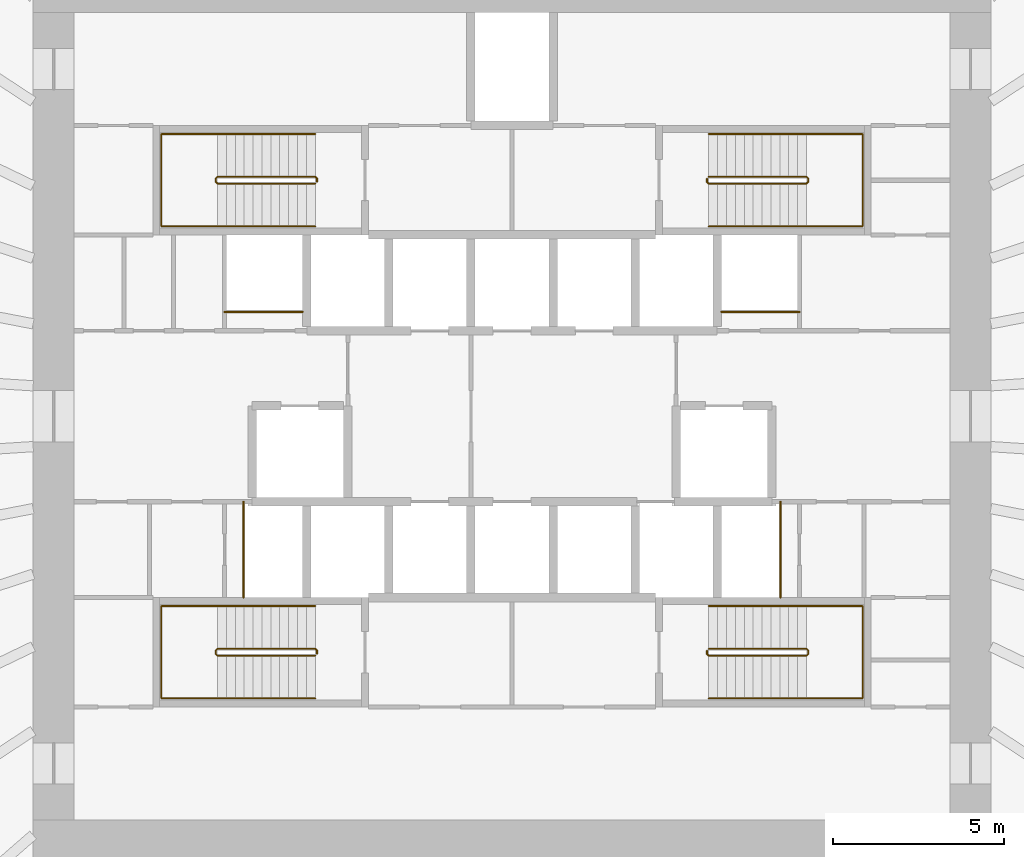
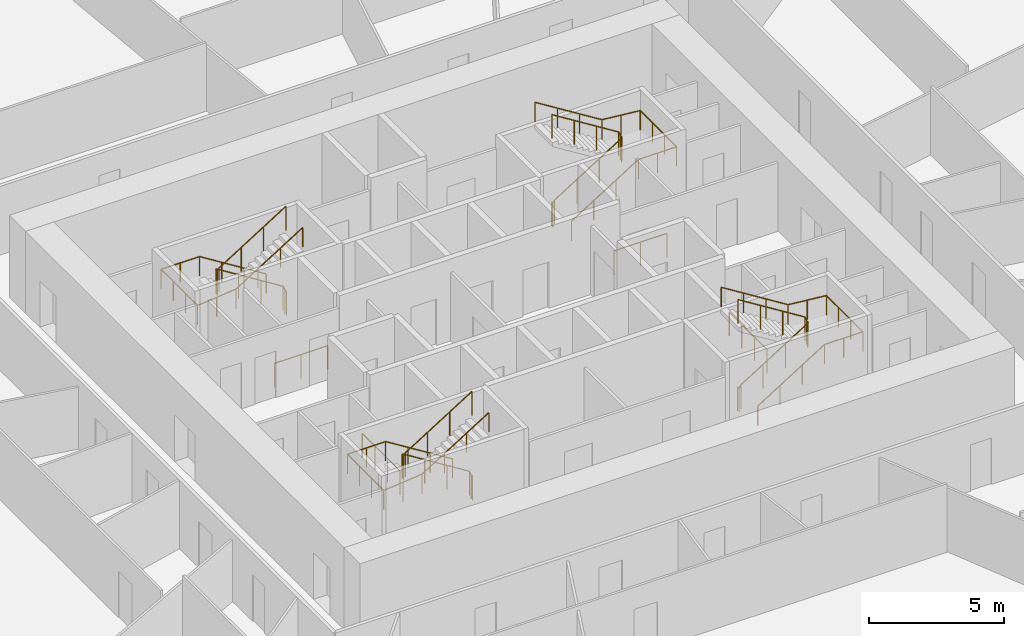
# One storey, part 11 of 11: 12 railings.
"""IFC4 building model written with IfcOpenShell, lengths in metres."""

from ifc_helpers import new_model, si_unit, direction, frame, origin, origin_2d, place, context, subcontext, project, spatial, circle, extrude, source, transform, mapped, material, type_object, element, save


model = new_model("IFC4")

# Units and contexts
model_context = context("Model", 3, precision=1e-05, world=origin(), true_north=direction((0.0, 1.0)))
body_context = subcontext(model_context, "Body", "Model", "MODEL_VIEW")
ifc_project = project(units=[si_unit("LENGTHUNIT", "METRE"), si_unit("AREAUNIT", "SQUARE_METRE"), si_unit("VOLUMEUNIT", "CUBIC_METRE"), si_unit("PLANEANGLEUNIT", "RADIAN"), si_unit("MASSUNIT", "GRAM", prefix="KILO")], contexts=[model_context])

# Site, building, storey
site_placement = place(None, origin())
site = spatial("IfcSite", under=ifc_project, at=site_placement, CompositionType="ELEMENT")
building_placement = place(site_placement, origin())
building = spatial("IfcBuilding", under=site, at=building_placement, Name="Embergate Tower", CompositionType="ELEMENT")
storey_placement = place(building_placement, frame((0.0, 0.0, 73.699951171875)))
storey = spatial("IfcBuildingStorey", under=building, at=storey_placement, Name="L14", CompositionType="ELEMENT", Elevation=73.699951171875)

# Railings
ifc_material_1 = material(Name="Stair guard 1100")
railing_type_1 = type_object("IfcRailingType", Name="Stair guard 1100", PredefinedType="GUARDRAIL", material=ifc_material_1)
shared_shape_1 = source(origin(), body_context, "Body", "SweptSolid", [
    extrude(circle(Radius=0.02392578125, at=origin_2d()), frame((0.0, 0.0, 1.076171875), z_axis=(0.0, 1.0, 0.0), x_axis=(-1.0, 0.0, 0.0)), (0.0, 0.0, 1.0), 0.099853515625),
    extrude(circle(Radius=0.02392578125, at=origin_2d()), frame((0.0, 0.099853515625, 1.076171875), z_axis=(-0.282227285176, 0.282227285176, 0.916894497205), x_axis=(-0.707106781187, -0.707106781187, 0.0)), (0.0, 0.0, 1.0), 0.17724609375),
    extrude(circle(Radius=0.02392578125, at=origin_2d()), frame((-0.050048828125, 0.14990234375, 1.23876953125), z_axis=(-0.848026770018, 0.0, 0.529953391661), x_axis=(0.0, -1.0, 0.0)), (0.0, 0.0, 1.0), 3.37255859375),
    extrude(circle(Radius=0.02392578125, at=origin_2d()), frame((-2.91015625, 0.14990234375, 3.02587890625), z_axis=(-0.705375805398, -0.708833529934, 0.0), x_axis=(0.708833529934, -0.705375805398, 0.0)), (0.0, 0.0, 1.0), 0.070556640625),
    extrude(circle(Radius=0.02392578125, at=origin_2d()), frame((-2.9599609375, 0.099853515625, 3.02587890625), z_axis=(0.0, -1.0, 0.0), x_axis=(1.0, 0.0, 0.0)), (0.0, 0.0, 1.0), 0.099853515625),
    extrude(circle(Radius=0.02392578125, at=origin_2d()), frame((-2.9599609375, 0.0, 3.02587890625), z_axis=(0.280959487676, -0.282336740067, 0.917250092119), x_axis=(0.708833529934, 0.705375805398, 0.0)), (0.0, 0.0, 1.0), 0.17724609375),
    extrude(circle(Radius=0.02392578125, at=origin_2d()), frame((-2.91015625, -0.050048828125, 3.1884765625), z_axis=(0.847994237388, 0.0, 0.530005446535), x_axis=(0.0, 1.0, 0.0)), (0.0, 0.0, 1.0), 3.372802734375),
    extrude(circle(Radius=0.02099609375, at=origin_2d()), origin(), (0.0, 0.0, 1.0), 1.052001953125),
    extrude(circle(Radius=0.02099609375, at=origin_2d()), frame((0.0, 0.099853515625, 0.0)), (0.0, 0.0, 1.0), 1.052001953125),
    extrude(circle(Radius=0.02099609375, at=origin_2d()), frame((-0.050048828125, 0.14990234375, 0.16259765625)), (0.0, 0.0, 1.0), 1.052001953125),
    extrude(circle(Radius=0.02099609375, at=origin_2d()), frame((-1.00341796875, 0.14990234375, 0.75830078125)), (0.0, 0.0, 1.0), 1.052001953125),
    extrude(circle(Radius=0.02099609375, at=origin_2d()), frame((-1.956787109375, 0.14990234375, 1.354248046875)), (0.0, 0.0, 1.0), 1.052001953125),
    extrude(circle(Radius=0.02099609375, at=origin_2d()), frame((-2.91015625, 0.14990234375, 1.949951171875)), (0.0, 0.0, 1.0), 1.052001953125),
    extrude(circle(Radius=0.02099609375, at=origin_2d()), frame((-2.9599609375, 0.099853515625, 1.949951171875)), (0.0, 0.0, 1.0), 1.052001953125),
    extrude(circle(Radius=0.02099609375, at=origin_2d()), frame((-2.9599609375, 0.0, 1.949951171875)), (0.0, 0.0, 1.0), 1.052001953125),
    extrude(circle(Radius=0.02099609375, at=origin_2d()), frame((-2.91015625, -0.050048828125, 2.112548828125)), (0.0, 0.0, 1.0), 1.052001953125),
    extrude(circle(Radius=0.02099609375, at=origin_2d()), frame((-1.956787109375, -0.050048828125, 2.70849609375)), (0.0, 0.0, 1.0), 1.052001953125),
    extrude(circle(Radius=0.02099609375, at=origin_2d()), frame((-1.00341796875, -0.050048828125, 3.30419921875)), (0.0, 0.0, 1.0), 1.052001953125),
    extrude(circle(Radius=0.02099609375, at=origin_2d()), frame((-0.050048828125, -0.050048828125, 3.900146484375)), (0.0, 0.0, 1.0), 1.052001953125),
])
for number, where, name in (
    (1, (-5.699951171875, 6.85009765625, 0.0), "L14 ST1 stair guard 1"),
    (2, (-5.699951171875, -6.949951171875, 0.0), "L14 ST3 stair guard 1"),
):
    element("IfcRailing", number, at=place(storey_placement, frame(where)), inside=storey, type_object=railing_type_1, Name=name, PredefinedType="GUARDRAIL", context=body_context, shape_type="MappedRepresentation", body=[
        mapped(shared_shape_1, transform((0.0, 0.0, 0.0))),
    ])
ifc_material_2 = material(Name="Stair handrail 900")
railing_type_2 = type_object("IfcRailingType", Name="Stair handrail 900", PredefinedType="HANDRAIL", material=ifc_material_2)
shared_shape_2 = source(origin(), body_context, "Body", "SweptSolid", [
    extrude(circle(Radius=0.02392578125, at=origin_2d()), frame((0.0, 0.0, 0.8759765625), z_axis=(-0.848026770018, 0.0, 0.529953391661), x_axis=(0.0, -1.0, 0.0)), (0.0, 0.0, 1.0), 3.37255859375),
    extrude(circle(Radius=0.02392578125, at=origin_2d()), frame((-2.860107421875, 0.0, 2.6630859375), z_axis=(-1.0, 0.0, 0.0), x_axis=(0.0, -1.0, 0.0)), (0.0, 0.0, 1.0), 1.639892578125),
    extrude(circle(Radius=0.02392578125, at=origin_2d()), frame((-4.5, 0.0, 2.6630859375), z_axis=(0.0, -1.0, 0.0), x_axis=(1.0, 0.0, 0.0)), (0.0, 0.0, 1.0), 2.699951171875),
    extrude(circle(Radius=0.02392578125, at=origin_2d()), frame((-4.5, -2.699951171875, 2.6630859375), z_axis=(0.995120448088, 0.0, 0.098667592441), x_axis=(0.0, 1.0, 0.0)), (0.0, 0.0, 1.0), 1.64794921875),
    extrude(circle(Radius=0.02392578125, at=origin_2d()), frame((-2.860107421875, -2.699951171875, 2.82568359375), z_axis=(0.847994237388, 0.0, 0.530005446535), x_axis=(0.0, 1.0, 0.0)), (0.0, 0.0, 1.0), 3.372802734375),
    extrude(circle(Radius=0.02099609375, at=origin_2d()), origin(), (0.0, 0.0, 1.0), 0.851806640625),
    extrude(circle(Radius=0.02099609375, at=origin_2d()), frame((-0.953369140625, 0.0, 0.595703125)), (0.0, 0.0, 1.0), 0.851806640625),
    extrude(circle(Radius=0.02099609375, at=origin_2d()), frame((-1.90673828125, 0.0, 1.191650390625)), (0.0, 0.0, 1.0), 0.851806640625),
    extrude(circle(Radius=0.02099609375, at=origin_2d()), frame((-2.860107421875, 0.0, 1.787353515625)), (0.0, 0.0, 1.0), 0.851806640625),
    extrude(circle(Radius=0.02099609375, at=origin_2d()), frame((-3.68017578125, 0.0, 1.787353515625)), (0.0, 0.0, 1.0), 0.851806640625),
    extrude(circle(Radius=0.02099609375, at=origin_2d()), frame((-4.5, 0.0, 1.787353515625)), (0.0, 0.0, 1.0), 0.851806640625),
    extrude(circle(Radius=0.02099609375, at=origin_2d()), frame((-4.5, -0.89990234375, 1.787353515625)), (0.0, 0.0, 1.0), 0.851806640625),
    extrude(circle(Radius=0.02099609375, at=origin_2d()), frame((-4.5, -1.800048828125, 1.787353515625)), (0.0, 0.0, 1.0), 0.851806640625),
    extrude(circle(Radius=0.02099609375, at=origin_2d()), frame((-4.5, -2.699951171875, 1.787353515625)), (0.0, 0.0, 1.0), 0.851806640625),
    extrude(circle(Radius=0.02099609375, at=origin_2d()), frame((-3.68017578125, -2.699951171875, 1.86865234375)), (0.0, 0.0, 1.0), 0.851806640625),
    extrude(circle(Radius=0.02099609375, at=origin_2d()), frame((-2.860107421875, -2.699951171875, 1.949951171875)), (0.0, 0.0, 1.0), 0.851806640625),
    extrude(circle(Radius=0.02099609375, at=origin_2d()), frame((-1.90673828125, -2.699951171875, 2.5458984375)), (0.0, 0.0, 1.0), 0.851806640625),
    extrude(circle(Radius=0.02099609375, at=origin_2d()), frame((-0.953369140625, -2.699951171875, 3.1416015625)), (0.0, 0.0, 1.0), 0.851806640625),
    extrude(circle(Radius=0.02099609375, at=origin_2d()), frame((0.0, -2.699951171875, 3.737548828125)), (0.0, 0.0, 1.0), 0.851806640625),
])
for number, where, name in (
    (3, (-5.75, 8.25, 0.16259765625), "L14 ST1 stair handrail 1"),
    (4, (-5.75, -5.550048828125, 0.16259765625), "L14 ST3 stair handrail 1"),
):
    element("IfcRailing", number, at=place(storey_placement, frame(where)), inside=storey, type_object=railing_type_2, Name=name, PredefinedType="HANDRAIL", context=body_context, shape_type="MappedRepresentation", body=[
        mapped(shared_shape_2, transform((0.0, 0.0, 0.0))),
    ])
shared_shape_3 = source(origin(), body_context, "Body", "SweptSolid", [
    extrude(circle(Radius=0.02392578125, at=origin_2d()), frame((0.0, 0.0, 1.076171875), z_axis=(0.0, -1.0, 0.0), x_axis=(1.0, 0.0, 0.0)), (0.0, 0.0, 1.0), 0.099853515625),
    extrude(circle(Radius=0.02392578125, at=origin_2d()), frame((0.0, -0.099853515625, 1.076171875), z_axis=(0.282227285176, -0.282227285176, 0.916894497205), x_axis=(0.707106781187, 0.707106781187, 0.0)), (0.0, 0.0, 1.0), 0.17724609375),
    extrude(circle(Radius=0.02392578125, at=origin_2d()), frame((0.050048828125, -0.14990234375, 1.23876953125), z_axis=(0.848026770018, 0.0, 0.529953391661), x_axis=(0.0, 1.0, 0.0)), (0.0, 0.0, 1.0), 3.37255859375),
    extrude(circle(Radius=0.02392578125, at=origin_2d()), frame((2.91015625, -0.14990234375, 3.02587890625), z_axis=(0.705375805398, 0.708833529934, 0.0), x_axis=(-0.708833529934, 0.705375805398, 0.0)), (0.0, 0.0, 1.0), 0.070556640625),
    extrude(circle(Radius=0.02392578125, at=origin_2d()), frame((2.9599609375, -0.099853515625, 3.02587890625), z_axis=(0.0, 1.0, 0.0), x_axis=(-1.0, 0.0, 0.0)), (0.0, 0.0, 1.0), 0.099853515625),
    extrude(circle(Radius=0.02392578125, at=origin_2d()), frame((2.9599609375, 0.0, 3.02587890625), z_axis=(-0.280959487676, 0.282336740067, 0.917250092119), x_axis=(-0.708833529934, -0.705375805398, 0.0)), (0.0, 0.0, 1.0), 0.17724609375),
    extrude(circle(Radius=0.02392578125, at=origin_2d()), frame((2.91015625, 0.050048828125, 3.1884765625), z_axis=(-0.847994237388, 0.0, 0.530005446535), x_axis=(0.0, -1.0, 0.0)), (0.0, 0.0, 1.0), 3.372802734375),
    extrude(circle(Radius=0.02099609375, at=origin_2d()), origin(), (0.0, 0.0, 1.0), 1.052001953125),
    extrude(circle(Radius=0.02099609375, at=origin_2d()), frame((0.0, -0.099853515625, 0.0)), (0.0, 0.0, 1.0), 1.052001953125),
    extrude(circle(Radius=0.02099609375, at=origin_2d()), frame((0.050048828125, -0.14990234375, 0.16259765625)), (0.0, 0.0, 1.0), 1.052001953125),
    extrude(circle(Radius=0.02099609375, at=origin_2d()), frame((1.00341796875, -0.14990234375, 0.75830078125)), (0.0, 0.0, 1.0), 1.052001953125),
    extrude(circle(Radius=0.02099609375, at=origin_2d()), frame((1.956787109375, -0.14990234375, 1.354248046875)), (0.0, 0.0, 1.0), 1.052001953125),
    extrude(circle(Radius=0.02099609375, at=origin_2d()), frame((2.91015625, -0.14990234375, 1.949951171875)), (0.0, 0.0, 1.0), 1.052001953125),
    extrude(circle(Radius=0.02099609375, at=origin_2d()), frame((2.9599609375, -0.099853515625, 1.949951171875)), (0.0, 0.0, 1.0), 1.052001953125),
    extrude(circle(Radius=0.02099609375, at=origin_2d()), frame((2.9599609375, 0.0, 1.949951171875)), (0.0, 0.0, 1.0), 1.052001953125),
    extrude(circle(Radius=0.02099609375, at=origin_2d()), frame((2.91015625, 0.050048828125, 2.112548828125)), (0.0, 0.0, 1.0), 1.052001953125),
    extrude(circle(Radius=0.02099609375, at=origin_2d()), frame((1.956787109375, 0.050048828125, 2.70849609375)), (0.0, 0.0, 1.0), 1.052001953125),
    extrude(circle(Radius=0.02099609375, at=origin_2d()), frame((1.00341796875, 0.050048828125, 3.30419921875)), (0.0, 0.0, 1.0), 1.052001953125),
    extrude(circle(Radius=0.02099609375, at=origin_2d()), frame((0.050048828125, 0.050048828125, 3.900146484375)), (0.0, 0.0, 1.0), 1.052001953125),
])
for number, where, name in (
    (5, (5.699951171875, 6.949951171875, 0.0), "L14 ST2 stair guard 1"),
    (6, (5.699951171875, -6.85009765625, 0.0), "L14 ST4 stair guard 1"),
):
    element("IfcRailing", number, at=place(storey_placement, frame(where)), inside=storey, type_object=railing_type_1, Name=name, PredefinedType="GUARDRAIL", context=body_context, shape_type="MappedRepresentation", body=[
        mapped(shared_shape_3, transform((0.0, 0.0, 0.0))),
    ])
shared_shape_4 = source(origin(), body_context, "Body", "SweptSolid", [
    extrude(circle(Radius=0.02392578125, at=origin_2d()), frame((0.0, 0.0, 0.8759765625), z_axis=(0.848026770018, 0.0, 0.529953391661), x_axis=(0.0, 1.0, 0.0)), (0.0, 0.0, 1.0), 3.37255859375),
    extrude(circle(Radius=0.02392578125, at=origin_2d()), frame((2.860107421875, 0.0, 2.6630859375), z_axis=(1.0, 0.0, 0.0), x_axis=(0.0, 1.0, 0.0)), (0.0, 0.0, 1.0), 1.639892578125),
    extrude(circle(Radius=0.02392578125, at=origin_2d()), frame((4.5, 0.0, 2.6630859375), z_axis=(0.0, 1.0, 0.0), x_axis=(-1.0, 0.0, 0.0)), (0.0, 0.0, 1.0), 2.699951171875),
    extrude(circle(Radius=0.02392578125, at=origin_2d()), frame((4.5, 2.699951171875, 2.6630859375), z_axis=(-0.995120448088, 0.0, 0.098667592441), x_axis=(0.0, -1.0, 0.0)), (0.0, 0.0, 1.0), 1.64794921875),
    extrude(circle(Radius=0.02392578125, at=origin_2d()), frame((2.860107421875, 2.699951171875, 2.82568359375), z_axis=(-0.847994237388, 0.0, 0.530005446535), x_axis=(0.0, -1.0, 0.0)), (0.0, 0.0, 1.0), 3.372802734375),
    extrude(circle(Radius=0.02099609375, at=origin_2d()), origin(), (0.0, 0.0, 1.0), 0.851806640625),
    extrude(circle(Radius=0.02099609375, at=origin_2d()), frame((0.953369140625, 0.0, 0.595703125)), (0.0, 0.0, 1.0), 0.851806640625),
    extrude(circle(Radius=0.02099609375, at=origin_2d()), frame((1.90673828125, 0.0, 1.191650390625)), (0.0, 0.0, 1.0), 0.851806640625),
    extrude(circle(Radius=0.02099609375, at=origin_2d()), frame((2.860107421875, 0.0, 1.787353515625)), (0.0, 0.0, 1.0), 0.851806640625),
    extrude(circle(Radius=0.02099609375, at=origin_2d()), frame((3.68017578125, 0.0, 1.787353515625)), (0.0, 0.0, 1.0), 0.851806640625),
    extrude(circle(Radius=0.02099609375, at=origin_2d()), frame((4.5, 0.0, 1.787353515625)), (0.0, 0.0, 1.0), 0.851806640625),
    extrude(circle(Radius=0.02099609375, at=origin_2d()), frame((4.5, 0.89990234375, 1.787353515625)), (0.0, 0.0, 1.0), 0.851806640625),
    extrude(circle(Radius=0.02099609375, at=origin_2d()), frame((4.5, 1.800048828125, 1.787353515625)), (0.0, 0.0, 1.0), 0.851806640625),
    extrude(circle(Radius=0.02099609375, at=origin_2d()), frame((4.5, 2.699951171875, 1.787353515625)), (0.0, 0.0, 1.0), 0.851806640625),
    extrude(circle(Radius=0.02099609375, at=origin_2d()), frame((3.68017578125, 2.699951171875, 1.86865234375)), (0.0, 0.0, 1.0), 0.851806640625),
    extrude(circle(Radius=0.02099609375, at=origin_2d()), frame((2.860107421875, 2.699951171875, 1.949951171875)), (0.0, 0.0, 1.0), 0.851806640625),
    extrude(circle(Radius=0.02099609375, at=origin_2d()), frame((1.90673828125, 2.699951171875, 2.5458984375)), (0.0, 0.0, 1.0), 0.851806640625),
    extrude(circle(Radius=0.02099609375, at=origin_2d()), frame((0.953369140625, 2.699951171875, 3.1416015625)), (0.0, 0.0, 1.0), 0.851806640625),
    extrude(circle(Radius=0.02099609375, at=origin_2d()), frame((0.0, 2.699951171875, 3.737548828125)), (0.0, 0.0, 1.0), 0.851806640625),
])
for number, where, name in (
    (7, (5.75, 5.550048828125, 0.16259765625), "L14 ST2 stair handrail 1"),
    (8, (5.75, -8.25, 0.16259765625), "L14 ST4 stair handrail 1"),
):
    element("IfcRailing", number, at=place(storey_placement, frame(where)), inside=storey, type_object=railing_type_2, Name=name, PredefinedType="HANDRAIL", context=body_context, shape_type="MappedRepresentation", body=[
        mapped(shared_shape_4, transform((0.0, 0.0, 0.0))),
    ])
ifc_material_3 = material(Name="Opening guard 1100")
railing_type_3 = type_object("IfcRailingType", Name="Opening guard 1100", PredefinedType="GUARDRAIL", material=ifc_material_3)
shared_shape_5 = source(origin(), body_context, "Body", "SweptSolid", [
    extrude(circle(Radius=0.02392578125, at=origin_2d()), frame((0.0, 0.0, 1.076171875), z_axis=(1.0, 0.0, 0.0), x_axis=(0.0, 1.0, 0.0)), (0.0, 0.0, 1.0), 2.27490234375),
    extrude(circle(Radius=0.02099609375, at=origin_2d()), origin(), (0.0, 0.0, 1.0), 1.052001953125),
    extrude(circle(Radius=0.02099609375, at=origin_2d()), frame((1.137451171875, 0.0, 0.0)), (0.0, 0.0, 1.0), 1.052001953125),
    extrude(circle(Radius=0.02099609375, at=origin_2d()), frame((2.27490234375, 0.0, 0.0)), (0.0, 0.0, 1.0), 1.052001953125),
])
for number, where, name in (
    (9, (-8.39990234375, 3.050048828125, 0.0), "Riser opening guard"),
    (10, (6.125, 3.050048828125, 0.0), "Riser opening guard"),
):
    element("IfcRailing", number, at=place(storey_placement, frame(where)), inside=storey, type_object=railing_type_3, Name=name, PredefinedType="GUARDRAIL", context=body_context, shape_type="MappedRepresentation", body=[
        mapped(shared_shape_5, transform((0.0, 0.0, 0.0))),
    ])
shared_shape_6 = source(origin(), body_context, "Body", "SweptSolid", [
    extrude(circle(Radius=0.02392578125, at=origin_2d()), frame((0.0, 0.0, 1.076171875), z_axis=(0.0, 1.0, 0.0), x_axis=(-1.0, 0.0, 0.0)), (0.0, 0.0, 1.0), 2.800048828125),
    extrude(circle(Radius=0.02099609375, at=origin_2d()), origin(), (0.0, 0.0, 1.0), 1.052001953125),
    extrude(circle(Radius=0.02099609375, at=origin_2d()), frame((0.0, 0.933349609375, 0.0)), (0.0, 0.0, 1.0), 1.052001953125),
    extrude(circle(Radius=0.02099609375, at=origin_2d()), frame((0.0, 1.86669921875, 0.0)), (0.0, 0.0, 1.0), 1.052001953125),
    extrude(circle(Radius=0.02099609375, at=origin_2d()), frame((0.0, 2.800048828125, 0.0)), (0.0, 0.0, 1.0), 1.052001953125),
])
for number, where, name in (
    (11, (-7.85009765625, -5.300048828125, 0.0), "Riser opening guard"),
    (12, (7.85009765625, -5.300048828125, 0.0), "Riser opening guard"),
):
    element("IfcRailing", number, at=place(storey_placement, frame(where)), inside=storey, type_object=railing_type_3, Name=name, PredefinedType="GUARDRAIL", context=body_context, shape_type="MappedRepresentation", body=[
        mapped(shared_shape_6, transform((0.0, 0.0, 0.0))),
    ])

save(model, "model.ifc")
